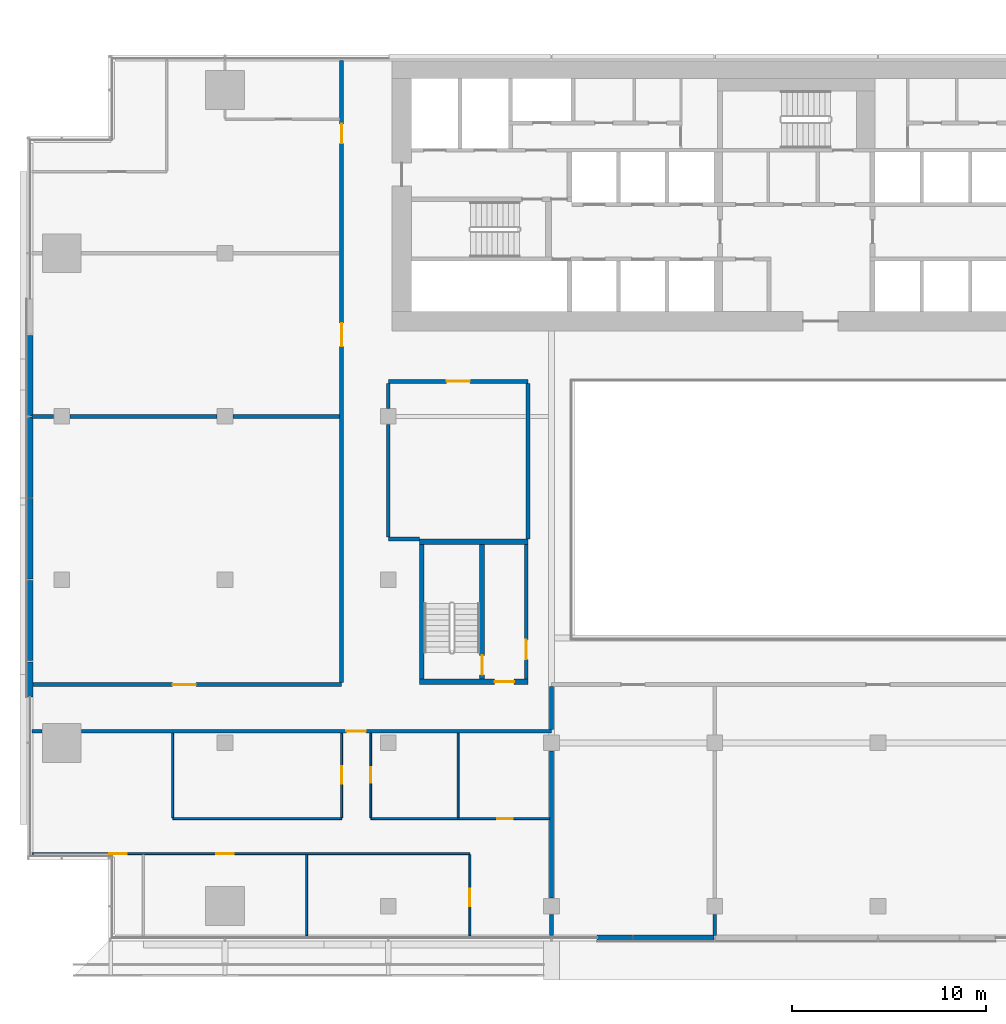
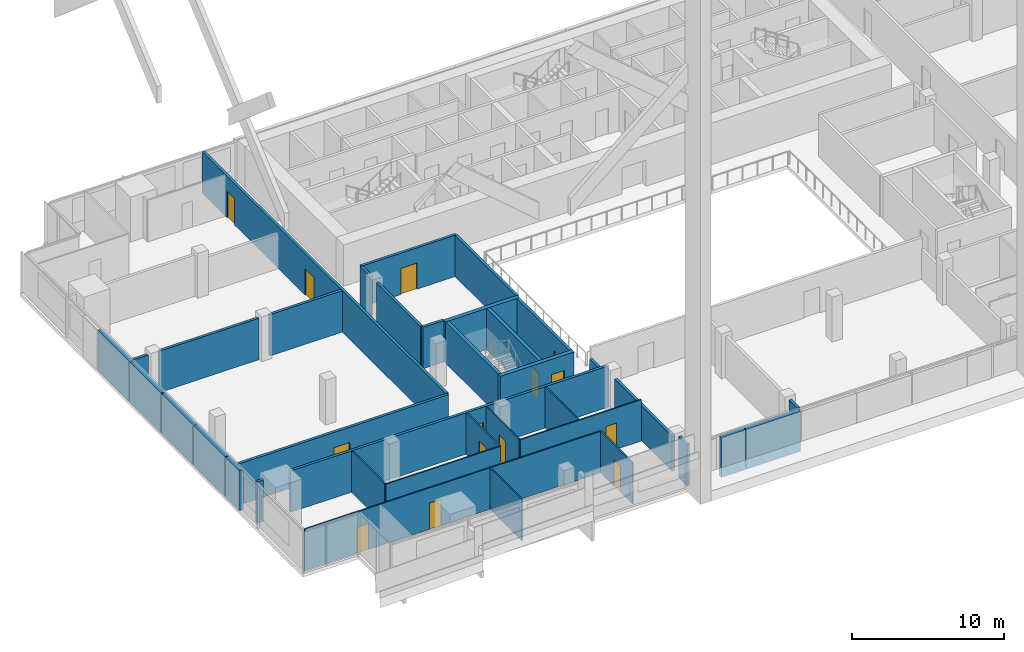
# One storey, part 19 of 30: 37 walls, 14 doors, 14 openings.
"""IFC4 building model written with IfcOpenShell, lengths in metres."""

from ifc_helpers import new_model, si_unit, direction, frame, frame_2d, origin, place, context, subcontext, project, spatial, rectangle, extrude, material, layer, layer_set, type_object, element, fill, save


model = new_model("IFC4")

# Units and contexts
model_context = context("Model", 3, precision=1e-05, world=origin(), true_north=direction((0.0, 1.0)))
body_context = subcontext(model_context, "Body", "Model", "MODEL_VIEW")
ifc_project = project(units=[si_unit("LENGTHUNIT", "METRE"), si_unit("AREAUNIT", "SQUARE_METRE"), si_unit("VOLUMEUNIT", "CUBIC_METRE"), si_unit("PLANEANGLEUNIT", "RADIAN"), si_unit("MASSUNIT", "GRAM", prefix="KILO")], contexts=[model_context])

# Site, building, storey
site_placement = place(None, origin())
site = spatial("IfcSite", under=ifc_project, at=site_placement, CompositionType="ELEMENT")
building_placement = place(site_placement, origin())
building = spatial("IfcBuilding", under=site, at=building_placement, Name="Saffron Gate Tower", CompositionType="ELEMENT")
storey_placement = place(building_placement, frame((0.0, 0.0, 95.25)))
storey = spatial("IfcBuildingStorey", under=building, at=storey_placement, Name="L21", CompositionType="ELEMENT", Elevation=95.25)

# Wall, opening, door
ifc_material_1 = material(Name="Gypsum board partition on steel studs", Category="steel")
ifc_layer_1 = layer(ifc_material_1, 0.199951171875)
ifc_layer_set_1 = layer_set([ifc_layer_1], Name="CW10 Core partition 200")
wall_type_1 = type_object("IfcWallType", Name="CW10 Core partition 200", PredefinedType="PARTITIONING", material=ifc_layer_set_1)
wall_1_placement = place(storey_placement, frame((73.699951171875, 43.5, 0.0), z_axis=(0.0, 0.0, 1.0), x_axis=(0.0, 1.0, 0.0)))
wall_1 = element("IfcWall", 1, at=wall_1_placement, inside=storey, type_object=wall_type_1, Name="Wall CW10-L21-D-4", PredefinedType="PARTITIONING", context=body_context, shape_type="SweptSolid", body=[
    extrude(rectangle(XDim=6.89990234375, YDim=0.199951171875, at=frame_2d((3.449951171875, 0.0))), origin(), (0.0, 0.0, 1.0), 3.320068359375),
])
opening_1_placement = place(wall_1_placement, frame((1.0, 0.0, 0.0)))
opening_1 = element("IfcOpeningElement", 2, at=opening_1_placement, cuts=wall_1, Name="Opening CR-19", PredefinedType="OPENING", context=body_context, shape_type="SweptSolid", body=[
    extrude(rectangle(XDim=1.0, YDim=2.10009765625, at=frame_2d((0.5, 1.050048828125))), frame((0.0, 0.10986328125, 0.0), z_axis=(0.0, -1.0, 0.0), x_axis=(1.0, 0.0, 0.0)), (0.0, 0.0, 1.0), 0.219970703125),
])
ifc_material_2 = material(Name="Steel fire door set", Category="steel")
door_type_1 = type_object("IfcDoorType", Name="CD4 Lobby door 1000x2100 EI 120", OperationType="NOTDEFINED", PredefinedType="DOOR", material=ifc_material_2)
door_1_placement = place(opening_1_placement, origin())
door_1 = element("IfcDoor", 3, at=door_1_placement, inside=storey, type_object=door_type_1, Name="DOOR CR-19", OperationType="SINGLE_SWING_RIGHT", OverallHeight=2.10009765625, OverallWidth=1.0, PredefinedType="DOOR", context=body_context, shape_type="SweptSolid", body=[
    extrude(rectangle(XDim=1.0, YDim=2.10009765625, at=frame_2d((0.5, 1.050048828125))), frame((0.0, 0.02490234375, 0.0), z_axis=(0.0, -1.0, 0.0), x_axis=(1.0, 0.0, 0.0)), (0.0, 0.0, 1.0), 0.050048828125),
])
fill(opening_1, door_1)

# Wall
ifc_material_3 = material(Name="Concrete C70", Category="concrete")
ifc_layer_2 = layer(ifc_material_3, 0.25)
ifc_layer_set_2 = layer_set([ifc_layer_2], Name="CW2 RC core wall 250 C70")
wall_type_2 = type_object("IfcWallType", Name="CW2 RC core wall 250 C70", PredefinedType="SOLIDWALL", material=ifc_layer_set_2)
wall_2_placement = place(storey_placement, frame((68.324951171875, 43.5, 0.0), z_axis=(0.0, 0.0, 1.0), x_axis=(0.0, 1.0, 0.0)))
element("IfcWall", 4, at=wall_2_placement, inside=storey, type_object=wall_type_2, Name="Wall CW2-L21-D-2", PredefinedType="SOLIDWALL", context=body_context, shape_type="SweptSolid", body=[
    extrude(rectangle(XDim=6.89990234375, YDim=0.25, at=frame_2d((3.449951171875, 0.0))), origin(), (0.0, 0.0, 1.0), 3.320068359375),
])

# Wall, opening, door
wall_3_placement = place(storey_placement, frame((71.425048828125, 43.5, 0.0), z_axis=(0.0, 0.0, 1.0), x_axis=(0.0, 1.0, 0.0)))
wall_3 = element("IfcWall", 5, at=wall_3_placement, inside=storey, type_object=wall_type_2, Name="Wall CW2-L21-D-3", PredefinedType="SOLIDWALL", context=body_context, shape_type="SweptSolid", body=[
    extrude(rectangle(XDim=6.89990234375, YDim=0.25, at=frame_2d((3.449951171875, 0.0))), origin(), (0.0, 0.0, 1.0), 3.320068359375),
])
opening_2_placement = place(wall_3_placement, frame((0.199951171875, 0.0, 0.0)))
opening_2 = element("IfcOpeningElement", 6, at=opening_2_placement, cuts=wall_3, Name="Opening CR-20", PredefinedType="OPENING", context=body_context, shape_type="SweptSolid", body=[
    extrude(rectangle(XDim=1.0, YDim=2.10009765625, at=frame_2d((0.5, 1.050048828125))), frame((0.0, 0.135009765625, 0.0), z_axis=(0.0, -1.0, 0.0), x_axis=(1.0, 0.0, 0.0)), (0.0, 0.0, 1.0), 0.27001953125),
])
door_type_2 = type_object("IfcDoorType", Name="CD5 Stair door 1000x2100 EI 120", OperationType="NOTDEFINED", PredefinedType="DOOR", material=ifc_material_2)
door_2_placement = place(opening_2_placement, origin())
door_2 = element("IfcDoor", 7, at=door_2_placement, inside=storey, type_object=door_type_2, Name="DOOR CR-20", OperationType="SINGLE_SWING_LEFT", OverallHeight=2.10009765625, OverallWidth=1.0, PredefinedType="DOOR", context=body_context, shape_type="SweptSolid", body=[
    extrude(rectangle(XDim=1.0, YDim=2.10009765625, at=frame_2d((0.5, 1.050048828125))), frame((0.0, 0.02490234375, 0.0), z_axis=(0.0, -1.0, 0.0), x_axis=(1.0, 0.0, 0.0)), (0.0, 0.0, 1.0), 0.050048828125),
])
fill(opening_2, door_2)

ifc_layer_3 = layer(ifc_material_3, 0.300048828125)
ifc_layer_set_3 = layer_set([ifc_layer_3], Name="CW5 RC core wall 300 C70")
wall_type_3 = type_object("IfcWallType", Name="CW5 RC core wall 300 C70", PredefinedType="SOLIDWALL", material=ifc_layer_set_3)
wall_4_placement = place(storey_placement, frame((68.199951171875, 43.35009765625, 0.0), z_axis=(0.0, 0.0, 1.0), x_axis=(1.0, 0.0, 0.0)))
wall_4 = element("IfcWall", 8, at=wall_4_placement, inside=storey, type_object=wall_type_3, Name="Wall CW5-L21-D-1", PredefinedType="SOLIDWALL", context=body_context, shape_type="SweptSolid", body=[
    extrude(rectangle(XDim=5.60009765625, YDim=0.300048828125, at=frame_2d((2.800048828125, 0.0))), origin(), (0.0, 0.0, 1.0), 3.320068359375),
])
opening_3_placement = place(wall_4_placement, frame((3.875, 0.0, 0.0)))
opening_3 = element("IfcOpeningElement", 9, at=opening_3_placement, cuts=wall_4, Name="Opening CR-18", PredefinedType="OPENING", context=body_context, shape_type="SweptSolid", body=[
    extrude(rectangle(XDim=1.0, YDim=2.10009765625, at=frame_2d((0.5, 1.050048828125))), frame((0.0, 0.16015625, 0.0), z_axis=(0.0, -1.0, 0.0), x_axis=(1.0, 0.0, 0.0)), (0.0, 0.0, 1.0), 0.320068359375),
])
door_3_placement = place(opening_3_placement, origin())
door_3 = element("IfcDoor", 10, at=door_3_placement, inside=storey, type_object=door_type_1, Name="DOOR CR-18", OperationType="SINGLE_SWING_RIGHT", OverallHeight=2.10009765625, OverallWidth=1.0, PredefinedType="DOOR", context=body_context, shape_type="SweptSolid", body=[
    extrude(rectangle(XDim=1.0, YDim=2.10009765625, at=frame_2d((0.5, 1.050048828125))), frame((0.0, 0.02490234375, 0.0), z_axis=(0.0, -1.0, 0.0), x_axis=(1.0, 0.0, 0.0)), (0.0, 0.0, 1.0), 0.050048828125),
])
fill(opening_3, door_3)

# Wall
wall_5_placement = place(storey_placement, frame((68.199951171875, 50.550048828125, 0.0), z_axis=(0.0, 0.0, 1.0), x_axis=(1.0, 0.0, 0.0)))
element("IfcWall", 11, at=wall_5_placement, inside=storey, type_object=wall_type_3, Name="Wall CW5-L21-D-5", PredefinedType="SOLIDWALL", context=body_context, shape_type="SweptSolid", body=[
    extrude(rectangle(XDim=5.60009765625, YDim=0.300048828125, at=frame_2d((2.800048828125, 0.0))), origin(), (0.0, 0.0, 1.0), 3.320068359375),
])

# Wall, openings, doors
ifc_material_4 = material(Name="Plasterboard on steel studs", Category="steel")
ifc_layer_4 = layer(ifc_material_4, 0.10009765625)
ifc_layer_set_4 = layer_set([ifc_layer_4], Name="PW1 Partition 100")
wall_type_4 = type_object("IfcWallType", Name="PW1 Partition 100", PredefinedType="PARTITIONING", material=ifc_layer_set_4)
wall_6_placement = place(storey_placement, frame((70.800048828125, 34.5, 0.0), z_axis=(0.0, 0.0, 1.0), x_axis=(-1.0, 0.0, 0.0)))
wall_6 = element("IfcWall", 12, at=wall_6_placement, inside=storey, type_object=wall_type_4, Name="Partition B1-1", PredefinedType="PARTITIONING", context=body_context, shape_type="SweptSolid", body=[
    extrude(rectangle(XDim=22.52001953125, YDim=0.10009765625, at=frame_2d((11.260009765625, 0.0))), origin(), (0.0, 0.0, 1.0), 3.320068359375),
])
opening_4_placement = place(wall_6_placement, frame((12.14990234375, 0.0, 0.0)))
opening_4 = element("IfcOpeningElement", 13, at=opening_4_placement, cuts=wall_6, Name="Opening B1-6", PredefinedType="OPENING", context=body_context, shape_type="SweptSolid", body=[
    extrude(rectangle(XDim=0.89990234375, YDim=2.10009765625, at=frame_2d((0.449951171875, 1.050048828125))), frame((0.0, 0.06005859375, 0.0), z_axis=(0.0, -1.0, 0.0), x_axis=(1.0, 0.0, 0.0)), (0.0, 0.0, 1.0), 0.1201171875),
])
opening_5_placement = place(wall_6_placement, frame((17.65380859375, 0.0, 0.0)))
opening_5 = element("IfcOpeningElement", 14, at=opening_5_placement, cuts=wall_6, Name="Opening B1-5", PredefinedType="OPENING", context=body_context, shape_type="SweptSolid", body=[
    extrude(rectangle(XDim=0.89990234375, YDim=2.10009765625, at=frame_2d((0.449951171875, 1.050048828125))), frame((0.0, 0.06005859375, 0.0), z_axis=(0.0, -1.0, 0.0), x_axis=(1.0, 0.0, 0.0)), (0.0, 0.0, 1.0), 0.1201171875),
])
ifc_material_5 = material(Name="Timber door set", Category="wood")
door_type_3 = type_object("IfcDoorType", Name="RD1 Room door 900x2100", OperationType="NOTDEFINED", PredefinedType="DOOR", material=ifc_material_5)
door_4_placement = place(opening_4_placement, origin())
door_4 = element("IfcDoor", 15, at=door_4_placement, inside=storey, type_object=door_type_3, Name="Door B1-6", OperationType="SINGLE_SWING_RIGHT", OverallHeight=2.10009765625, OverallWidth=0.89990234375, PredefinedType="DOOR", context=body_context, shape_type="SweptSolid", body=[
    extrude(rectangle(XDim=0.89990234375, YDim=2.10009765625, at=frame_2d((0.449951171875, 1.050048828125))), frame((0.0, 0.02490234375, 0.0), z_axis=(0.0, -1.0, 0.0), x_axis=(1.0, 0.0, 0.0)), (0.0, 0.0, 1.0), 0.050048828125),
])
fill(opening_4, door_4)
door_5_placement = place(opening_5_placement, origin())
door_5 = element("IfcDoor", 16, at=door_5_placement, inside=storey, type_object=door_type_3, Name="Door B1-5", OperationType="SINGLE_SWING_LEFT", OverallHeight=2.10009765625, OverallWidth=0.89990234375, PredefinedType="DOOR", context=body_context, shape_type="SweptSolid", body=[
    extrude(rectangle(XDim=0.89990234375, YDim=2.10009765625, at=frame_2d((0.449951171875, 1.050048828125))), frame((0.0, 0.02490234375, 0.0), z_axis=(0.0, -1.0, 0.0), x_axis=(1.0, 0.0, 0.0)), (0.0, 0.0, 1.0), 0.050048828125),
])
fill(opening_5, door_5)

# Wall
wall_7_placement = place(storey_placement, frame((55.5, 36.300048828125, 0.0), z_axis=(0.0, 0.0, 1.0), x_axis=(1.0, 0.0, 0.0)))
element("IfcWall", 17, at=wall_7_placement, inside=storey, type_object=wall_type_4, Name="Partition B1-4", PredefinedType="PARTITIONING", context=body_context, shape_type="SweptSolid", body=[
    extrude(rectangle(XDim=8.699951171875, YDim=0.10009765625, at=frame_2d((4.35009765625, 0.0))), origin(), (0.0, 0.0, 1.0), 3.320068359375),
])

# Wall, opening, door
wall_8_placement = place(storey_placement, frame((65.699951171875, 36.300048828125, 0.0), z_axis=(0.0, 0.0, 1.0), x_axis=(1.0, 0.0, 0.0)))
wall_8 = element("IfcWall", 18, at=wall_8_placement, inside=storey, type_object=wall_type_4, Name="Partition B1-5", PredefinedType="PARTITIONING", context=body_context, shape_type="SweptSolid", body=[
    extrude(rectangle(XDim=9.199951171875, YDim=0.10009765625, at=frame_2d((4.60009765625, 0.0))), origin(), (0.0, 0.0, 1.0), 3.320068359375),
])
opening_6_placement = place(wall_8_placement, frame((6.5, 0.0, 0.0)))
opening_6 = element("IfcOpeningElement", 19, at=opening_6_placement, cuts=wall_8, Name="Opening B1-17", PredefinedType="OPENING", context=body_context, shape_type="SweptSolid", body=[
    extrude(rectangle(XDim=0.800048828125, YDim=2.10009765625, at=frame_2d((0.39990234375, 1.050048828125))), frame((0.0, 0.06005859375, 0.0), z_axis=(0.0, -1.0, 0.0), x_axis=(1.0, 0.0, 0.0)), (0.0, 0.0, 1.0), 0.1201171875),
])
door_type_4 = type_object("IfcDoorType", Name="RD2 Bathroom door 800x2100", OperationType="NOTDEFINED", PredefinedType="DOOR", material=ifc_material_5)
door_6_placement = place(opening_6_placement, origin())
door_6 = element("IfcDoor", 20, at=door_6_placement, inside=storey, type_object=door_type_4, Name="Door B1-17", OperationType="SINGLE_SWING_RIGHT", OverallHeight=2.10009765625, OverallWidth=0.800048828125, PredefinedType="DOOR", context=body_context, shape_type="SweptSolid", body=[
    extrude(rectangle(XDim=0.800048828125, YDim=2.10009765625, at=frame_2d((0.39990234375, 1.050048828125))), frame((0.0, 0.02490234375, 0.0), z_axis=(0.0, -1.0, 0.0), x_axis=(1.0, 0.0, 0.0)), (0.0, 0.0, 1.0), 0.050048828125),
])
fill(opening_6, door_6)

# Walls
wall_9_placement = place(storey_placement, frame((55.5, 40.699951171875, 0.0), z_axis=(0.0, 0.0, 1.0), x_axis=(0.0, -1.0, 0.0)))
element("IfcWall", 21, at=wall_9_placement, inside=storey, type_object=wall_type_4, Name="Partition B1-38", PredefinedType="PARTITIONING", context=body_context, shape_type="SweptSolid", body=[
    extrude(rectangle(XDim=4.349853515625, YDim=0.10009765625, at=frame_2d((2.1748046875, 0.0))), origin(), (0.0, 0.0, 1.0), 3.320068359375),
])
wall_10_placement = place(storey_placement, frame((62.39990234375, 34.449951171875, 0.0), z_axis=(0.0, 0.0, 1.0), x_axis=(0.0, -1.0, 0.0)))
element("IfcWall", 22, at=wall_10_placement, inside=storey, type_object=wall_type_4, Name="Partition B1-41", PredefinedType="PARTITIONING", context=body_context, shape_type="SweptSolid", body=[
    extrude(rectangle(XDim=4.169921875, YDim=0.10009765625, at=frame_2d((2.0849609375, 0.0))), origin(), (0.0, 0.0, 1.0), 3.320068359375),
])

# Wall, opening, door
wall_11_placement = place(storey_placement, frame((64.199951171875, 36.35009765625, 0.0), z_axis=(0.0, 0.0, 1.0), x_axis=(0.0, 1.0, 0.0)))
wall_11 = element("IfcWall", 23, at=wall_11_placement, inside=storey, type_object=wall_type_4, Name="Partition B1-43", PredefinedType="PARTITIONING", context=body_context, shape_type="SweptSolid", body=[
    extrude(rectangle(XDim=4.349853515625, YDim=0.10009765625, at=frame_2d((2.1748046875, 0.0))), origin(), (0.0, 0.0, 1.0), 3.320068359375),
])
opening_7_placement = place(wall_11_placement, frame((1.75, 0.0, 0.0)))
opening_7 = element("IfcOpeningElement", 24, at=opening_7_placement, cuts=wall_11, Name="Opening B1-8", PredefinedType="OPENING", context=body_context, shape_type="SweptSolid", body=[
    extrude(rectangle(XDim=0.89990234375, YDim=2.10009765625, at=frame_2d((0.449951171875, 1.050048828125))), frame((0.0, 0.06005859375, 0.0), z_axis=(0.0, -1.0, 0.0), x_axis=(1.0, 0.0, 0.0)), (0.0, 0.0, 1.0), 0.1201171875),
])
door_7_placement = place(opening_7_placement, origin())
door_7 = element("IfcDoor", 25, at=door_7_placement, inside=storey, type_object=door_type_3, Name="Door B1-8", OperationType="SINGLE_SWING_RIGHT", OverallHeight=2.10009765625, OverallWidth=0.89990234375, PredefinedType="DOOR", context=body_context, shape_type="SweptSolid", body=[
    extrude(rectangle(XDim=0.89990234375, YDim=2.10009765625, at=frame_2d((0.449951171875, 1.050048828125))), frame((0.0, 0.02490234375, 0.0), z_axis=(0.0, -1.0, 0.0), x_axis=(1.0, 0.0, 0.0)), (0.0, 0.0, 1.0), 0.050048828125),
])
fill(opening_7, door_7)

wall_12_placement = place(storey_placement, frame((65.699951171875, 40.699951171875, 0.0), z_axis=(0.0, 0.0, 1.0), x_axis=(0.0, -1.0, 0.0)))
wall_12 = element("IfcWall", 26, at=wall_12_placement, inside=storey, type_object=wall_type_4, Name="Partition B1-44", PredefinedType="PARTITIONING", context=body_context, shape_type="SweptSolid", body=[
    extrude(rectangle(XDim=4.349853515625, YDim=0.10009765625, at=frame_2d((2.1748046875, 0.0))), origin(), (0.0, 0.0, 1.0), 3.320068359375),
])
opening_8_placement = place(wall_12_placement, frame((1.75, 0.0, 0.0)))
opening_8 = element("IfcOpeningElement", 27, at=opening_8_placement, cuts=wall_12, Name="Opening B1-16", PredefinedType="OPENING", context=body_context, shape_type="SweptSolid", body=[
    extrude(rectangle(XDim=0.800048828125, YDim=2.10009765625, at=frame_2d((0.39990234375, 1.050048828125))), frame((0.0, 0.06005859375, 0.0), z_axis=(0.0, -1.0, 0.0), x_axis=(1.0, 0.0, 0.0)), (0.0, 0.0, 1.0), 0.1201171875),
])
door_8_placement = place(opening_8_placement, origin())
door_8 = element("IfcDoor", 28, at=door_8_placement, inside=storey, type_object=door_type_4, Name="Door B1-16", OperationType="SINGLE_SWING_LEFT", OverallHeight=2.10009765625, OverallWidth=0.800048828125, PredefinedType="DOOR", context=body_context, shape_type="SweptSolid", body=[
    extrude(rectangle(XDim=0.800048828125, YDim=2.10009765625, at=frame_2d((0.39990234375, 1.050048828125))), frame((0.0, 0.02490234375, 0.0), z_axis=(0.0, -1.0, 0.0), x_axis=(1.0, 0.0, 0.0)), (0.0, 0.0, 1.0), 0.050048828125),
])
fill(opening_8, door_8)

# Wall
wall_13_placement = place(storey_placement, frame((70.199951171875, 40.699951171875, 0.0), z_axis=(0.0, 0.0, 1.0), x_axis=(0.0, -1.0, 0.0)))
element("IfcWall", 29, at=wall_13_placement, inside=storey, type_object=wall_type_4, Name="Partition B1-47", PredefinedType="PARTITIONING", context=body_context, shape_type="SweptSolid", body=[
    extrude(rectangle(XDim=4.349853515625, YDim=0.10009765625, at=frame_2d((2.1748046875, 0.0))), origin(), (0.0, 0.0, 1.0), 3.320068359375),
])

# Wall, opening, door
wall_14_placement = place(storey_placement, frame((70.800048828125, 30.280029296875, 0.0), z_axis=(0.0, 0.0, 1.0), x_axis=(0.0, 1.0, 0.0)))
wall_14 = element("IfcWall", 30, at=wall_14_placement, inside=storey, type_object=wall_type_4, Name="Partition B1-48", PredefinedType="PARTITIONING", context=body_context, shape_type="SweptSolid", body=[
    extrude(rectangle(XDim=4.169921875, YDim=0.10009765625, at=frame_2d((2.0849609375, 0.0))), origin(), (0.0, 0.0, 1.0), 3.320068359375),
])
opening_9_placement = place(wall_14_placement, frame((1.52001953125, 0.0, 0.0)))
opening_9 = element("IfcOpeningElement", 31, at=opening_9_placement, cuts=wall_14, Name="Opening B1-7", PredefinedType="OPENING", context=body_context, shape_type="SweptSolid", body=[
    extrude(rectangle(XDim=0.89990234375, YDim=2.10009765625, at=frame_2d((0.449951171875, 1.050048828125))), frame((0.0, 0.06005859375, 0.0), z_axis=(0.0, -1.0, 0.0), x_axis=(1.0, 0.0, 0.0)), (0.0, 0.0, 1.0), 0.1201171875),
])
door_9_placement = place(opening_9_placement, origin())
door_9 = element("IfcDoor", 32, at=door_9_placement, inside=storey, type_object=door_type_3, Name="Door B1-7", OperationType="SINGLE_SWING_LEFT", OverallHeight=2.10009765625, OverallWidth=0.89990234375, PredefinedType="DOOR", context=body_context, shape_type="SweptSolid", body=[
    extrude(rectangle(XDim=0.89990234375, YDim=2.10009765625, at=frame_2d((0.449951171875, 1.050048828125))), frame((0.0, 0.02490234375, 0.0), z_axis=(0.0, -1.0, 0.0), x_axis=(1.0, 0.0, 0.0)), (0.0, 0.0, 1.0), 0.050048828125),
])
fill(opening_9, door_9)

# Wall
ifc_material_6 = material(Name="Clay brick masonry, rendered", Category="masonry")
ifc_layer_5 = layer(ifc_material_6, 0.199951171875)
ifc_layer_set_5 = layer_set([ifc_layer_5], Name="PW3 Corridor wall 200")
wall_type_5 = type_object("IfcWallType", Name="PW3 Corridor wall 200", PredefinedType="PARTITIONING", material=ifc_layer_set_5)
wall_15_placement = place(storey_placement, frame((48.280029296875, 40.800048828125, 0.0), z_axis=(0.0, 0.0, 1.0), x_axis=(1.0, 0.0, 0.0)))
element("IfcWall", 33, at=wall_15_placement, inside=storey, type_object=wall_type_5, Name="Wall B1-8", PredefinedType="PARTITIONING", context=body_context, shape_type="SweptSolid", body=[
    extrude(rectangle(XDim=0.5, YDim=0.199951171875, at=frame_2d((0.25, 0.0))), origin(), (0.0, 0.0, 1.0), 3.320068359375),
])

# Wall, opening, door
wall_16_placement = place(storey_placement, frame((75.0, 40.800048828125, 0.0), z_axis=(0.0, 0.0, 1.0), x_axis=(-1.0, 0.0, 0.0)))
wall_16 = element("IfcWall", 34, at=wall_16_placement, inside=storey, type_object=wall_type_5, Name="Wall B1-9", PredefinedType="PARTITIONING", context=body_context, shape_type="SweptSolid", body=[
    extrude(rectangle(XDim=24.179931640625, YDim=0.199951171875, at=frame_2d((12.08984375, 0.0))), origin(), (0.0, 0.0, 1.0), 3.320068359375),
])
opening_10_placement = place(wall_16_placement, frame((9.550048828125, 0.0, 0.0)))
opening_10 = element("IfcOpeningElement", 35, at=opening_10_placement, cuts=wall_16, Name="Opening B1-1", PredefinedType="OPENING", context=body_context, shape_type="SweptSolid", body=[
    extrude(rectangle(XDim=1.0, YDim=2.10009765625, at=frame_2d((0.5, 1.050048828125))), frame((0.0, 0.10986328125, 0.0), z_axis=(0.0, -1.0, 0.0), x_axis=(1.0, 0.0, 0.0)), (0.0, 0.0, 1.0), 0.219970703125),
])
ifc_material_7 = material(Name="Timber fire door set", Category="wood")
door_type_5 = type_object("IfcDoorType", Name="FD1 Flat entry door 1000x2100", OperationType="NOTDEFINED", PredefinedType="DOOR", material=ifc_material_7)
door_10_placement = place(opening_10_placement, origin())
door_10 = element("IfcDoor", 36, at=door_10_placement, inside=storey, type_object=door_type_5, Name="Door B1-1", OperationType="SINGLE_SWING_LEFT", OverallHeight=2.10009765625, OverallWidth=1.0, PredefinedType="DOOR", context=body_context, shape_type="SweptSolid", body=[
    extrude(rectangle(XDim=1.0, YDim=2.10009765625, at=frame_2d((0.5, 1.050048828125))), frame((0.0, 0.02490234375, 0.0), z_axis=(0.0, -1.0, 0.0), x_axis=(1.0, 0.0, 0.0)), (0.0, 0.0, 1.0), 0.050048828125),
])
fill(opening_10, door_10)

wall_17_placement = place(storey_placement, frame((48.280029296875, 43.199951171875, 0.0), z_axis=(0.0, 0.0, 1.0), x_axis=(1.0, 0.0, 0.0)))
wall_17 = element("IfcWall", 37, at=wall_17_placement, inside=storey, type_object=wall_type_5, Name="Wall B1-12", PredefinedType="PARTITIONING", context=body_context, shape_type="SweptSolid", body=[
    extrude(rectangle(XDim=15.919921875, YDim=0.199951171875, at=frame_2d((7.9599609375, 0.0))), origin(), (0.0, 0.0, 1.0), 3.320068359375),
])
opening_11_placement = place(wall_17_placement, frame((7.219970703125, 0.0, 0.0)))
opening_11 = element("IfcOpeningElement", 38, at=opening_11_placement, cuts=wall_17, Name="Opening B1-27", PredefinedType="OPENING", context=body_context, shape_type="SweptSolid", body=[
    extrude(rectangle(XDim=1.199951171875, YDim=2.10009765625, at=frame_2d((0.60009765625, 1.050048828125))), frame((0.0, 0.10986328125, 0.0), z_axis=(0.0, -1.0, 0.0), x_axis=(1.0, 0.0, 0.0)), (0.0, 0.0, 1.0), 0.219970703125),
])
door_type_6 = type_object("IfcDoorType", Name="HD1 Hall door 1200x2100", OperationType="NOTDEFINED", PredefinedType="DOOR", material=ifc_material_5)
door_11_placement = place(opening_11_placement, origin())
door_11 = element("IfcDoor", 39, at=door_11_placement, inside=storey, type_object=door_type_6, Name="Door B1-27", OperationType="SINGLE_SWING_LEFT", OverallHeight=2.10009765625, OverallWidth=1.199951171875, PredefinedType="DOOR", context=body_context, shape_type="SweptSolid", body=[
    extrude(rectangle(XDim=1.199951171875, YDim=2.10009765625, at=frame_2d((0.60009765625, 1.050048828125))), frame((0.0, 0.02490234375, 0.0), z_axis=(0.0, -1.0, 0.0), x_axis=(1.0, 0.0, 0.0)), (0.0, 0.0, 1.0), 0.050048828125),
])
fill(opening_11, door_11)

# Wall
wall_18_placement = place(storey_placement, frame((66.60009765625, 50.699951171875, 0.0), z_axis=(0.0, 0.0, 1.0), x_axis=(1.0, 0.0, 0.0)))
element("IfcWall", 40, at=wall_18_placement, inside=storey, type_object=wall_type_5, Name="Wall B1-15", PredefinedType="PARTITIONING", context=body_context, shape_type="SweptSolid", body=[
    extrude(rectangle(XDim=1.599853515625, YDim=0.199951171875, at=frame_2d((0.7998046875, 0.0))), origin(), (0.0, 0.0, 1.0), 3.320068359375),
])

# Wall, opening, door
wall_19_placement = place(storey_placement, frame((73.800048828125, 58.800048828125, 0.0), z_axis=(0.0, 0.0, 1.0), x_axis=(-1.0, 0.0, 0.0)))
wall_19 = element("IfcWall", 41, at=wall_19_placement, inside=storey, type_object=wall_type_5, Name="Wall B1-24", PredefinedType="PARTITIONING", context=body_context, shape_type="SweptSolid", body=[
    extrude(rectangle(XDim=7.199951171875, YDim=0.199951171875, at=frame_2d((3.60009765625, 0.0))), origin(), (0.0, 0.0, 1.0), 3.320068359375),
])
opening_12_placement = place(wall_19_placement, frame((3.0, 0.0, 0.0)))
opening_12 = element("IfcOpeningElement", 42, at=opening_12_placement, cuts=wall_19, Name="Opening B1-29", PredefinedType="OPENING", context=body_context, shape_type="SweptSolid", body=[
    extrude(rectangle(XDim=1.199951171875, YDim=2.10009765625, at=frame_2d((0.60009765625, 1.050048828125))), frame((0.0, 0.10986328125, 0.0), z_axis=(0.0, -1.0, 0.0), x_axis=(1.0, 0.0, 0.0)), (0.0, 0.0, 1.0), 0.219970703125),
])
door_12_placement = place(opening_12_placement, origin())
door_12 = element("IfcDoor", 43, at=door_12_placement, inside=storey, type_object=door_type_6, Name="Door B1-29", OperationType="SINGLE_SWING_LEFT", OverallHeight=2.10009765625, OverallWidth=1.199951171875, PredefinedType="DOOR", context=body_context, shape_type="SweptSolid", body=[
    extrude(rectangle(XDim=1.199951171875, YDim=2.10009765625, at=frame_2d((0.60009765625, 1.050048828125))), frame((0.0, 0.02490234375, 0.0), z_axis=(0.0, -1.0, 0.0), x_axis=(1.0, 0.0, 0.0)), (0.0, 0.0, 1.0), 0.050048828125),
])
fill(opening_12, door_12)

# Wall, openings, doors
wall_20_placement = place(storey_placement, frame((64.199951171875, 43.300048828125, 0.0), z_axis=(0.0, 0.0, 1.0), x_axis=(0.0, 1.0, 0.0)))
wall_20 = element("IfcWall", 44, at=wall_20_placement, inside=storey, type_object=wall_type_5, Name="Wall B1-42", PredefinedType="PARTITIONING", context=body_context, shape_type="SweptSolid", body=[
    extrude(rectangle(XDim=32.02001953125, YDim=0.199951171875, at=frame_2d((16.010009765625, 0.0))), origin(), (0.0, 0.0, 1.0), 3.320068359375),
])
opening_13_placement = place(wall_20_placement, frame((17.300048828125, 0.0, 0.0)))
opening_13 = element("IfcOpeningElement", 45, at=opening_13_placement, cuts=wall_20, Name="Opening B1-28", PredefinedType="OPENING", context=body_context, shape_type="SweptSolid", body=[
    extrude(rectangle(XDim=1.199951171875, YDim=2.10009765625, at=frame_2d((0.60009765625, 1.050048828125))), frame((0.0, 0.10986328125, 0.0), z_axis=(0.0, -1.0, 0.0), x_axis=(1.0, 0.0, 0.0)), (0.0, 0.0, 1.0), 0.219970703125),
])
opening_14_placement = place(wall_20_placement, frame((27.75, 0.0, 0.0)))
opening_14 = element("IfcOpeningElement", 46, at=opening_14_placement, cuts=wall_20, Name="Opening B1-3", PredefinedType="OPENING", context=body_context, shape_type="SweptSolid", body=[
    extrude(rectangle(XDim=1.0, YDim=2.10009765625, at=frame_2d((0.5, 1.050048828125))), frame((0.0, 0.10986328125, 0.0), z_axis=(0.0, -1.0, 0.0), x_axis=(1.0, 0.0, 0.0)), (0.0, 0.0, 1.0), 0.219970703125),
])
door_13_placement = place(opening_14_placement, origin())
door_13 = element("IfcDoor", 47, at=door_13_placement, inside=storey, type_object=door_type_5, Name="Door B1-3", OperationType="SINGLE_SWING_LEFT", OverallHeight=2.10009765625, OverallWidth=1.0, PredefinedType="DOOR", context=body_context, shape_type="SweptSolid", body=[
    extrude(rectangle(XDim=1.0, YDim=2.10009765625, at=frame_2d((0.5, 1.050048828125))), frame((0.0, 0.02490234375, 0.0), z_axis=(0.0, -1.0, 0.0), x_axis=(1.0, 0.0, 0.0)), (0.0, 0.0, 1.0), 0.050048828125),
])
fill(opening_14, door_13)
door_14_placement = place(opening_13_placement, origin())
door_14 = element("IfcDoor", 48, at=door_14_placement, inside=storey, type_object=door_type_6, Name="Door B1-28", OperationType="SINGLE_SWING_RIGHT", OverallHeight=2.10009765625, OverallWidth=1.199951171875, PredefinedType="DOOR", context=body_context, shape_type="SweptSolid", body=[
    extrude(rectangle(XDim=1.199951171875, YDim=2.10009765625, at=frame_2d((0.60009765625, 1.050048828125))), frame((0.0, 0.02490234375, 0.0), z_axis=(0.0, -1.0, 0.0), x_axis=(1.0, 0.0, 0.0)), (0.0, 0.0, 1.0), 0.050048828125),
])
fill(opening_13, door_14)

# Walls
wall_21_placement = place(storey_placement, frame((66.60009765625, 56.580078125, 0.0), z_axis=(0.0, 0.0, 1.0), x_axis=(0.0, -1.0, 0.0)))
element("IfcWall", 49, at=wall_21_placement, inside=storey, type_object=wall_type_5, Name="Wall B1-45", PredefinedType="PARTITIONING", context=body_context, shape_type="SweptSolid", body=[
    extrude(rectangle(XDim=5.780029296875, YDim=0.199951171875, at=frame_2d((2.89013671875, 0.0))), origin(), (0.0, 0.0, 1.0), 3.320068359375),
])
wall_22_placement = place(storey_placement, frame((66.60009765625, 58.699951171875, 0.0), z_axis=(0.0, 0.0, 1.0), x_axis=(0.0, -1.0, 0.0)))
element("IfcWall", 50, at=wall_22_placement, inside=storey, type_object=wall_type_5, Name="Wall B1-46", PredefinedType="PARTITIONING", context=body_context, shape_type="SweptSolid", body=[
    extrude(rectangle(XDim=1.280029296875, YDim=0.199951171875, at=frame_2d((0.64013671875, 0.0))), origin(), (0.0, 0.0, 1.0), 3.320068359375),
])
wall_23_placement = place(storey_placement, frame((73.800048828125, 58.699951171875, 0.0), z_axis=(0.0, 0.0, 1.0), x_axis=(0.0, -1.0, 0.0)))
element("IfcWall", 51, at=wall_23_placement, inside=storey, type_object=wall_type_5, Name="Wall B1-49", PredefinedType="PARTITIONING", context=body_context, shape_type="SweptSolid", body=[
    extrude(rectangle(XDim=8.0, YDim=0.199951171875, at=frame_2d((4.0, 0.0))), origin(), (0.0, 0.0, 1.0), 3.320068359375),
])
wall_24_placement = place(storey_placement, frame((75.0, 43.10009765625, 0.0), z_axis=(0.0, 0.0, 1.0), x_axis=(0.0, -1.0, 0.0)))
element("IfcWall", 52, at=wall_24_placement, inside=storey, type_object=wall_type_5, Name="Wall B1-50", PredefinedType="PARTITIONING", context=body_context, shape_type="SweptSolid", body=[
    extrude(rectangle(XDim=2.2001953125, YDim=0.199951171875, at=frame_2d((1.10009765625, 0.0))), origin(), (0.0, 0.0, 1.0), 2.429931640625),
])
ifc_layer_6 = layer(ifc_material_6, 0.199951171875)
ifc_layer_set_6 = layer_set([ifc_layer_6], Name="PW5 Room wall 200")
wall_type_6 = type_object("IfcWallType", Name="PW5 Room wall 200", PredefinedType="PARTITIONING", material=ifc_layer_set_6)
wall_25_placement = place(storey_placement, frame((48.280029296875, 57.0, 0.0), z_axis=(0.0, 0.0, 1.0), x_axis=(1.0, 0.0, 0.0)))
element("IfcWall", 53, at=wall_25_placement, inside=storey, type_object=wall_type_6, Name="Wall B1-18", PredefinedType="PARTITIONING", context=body_context, shape_type="SweptSolid", body=[
    extrude(rectangle(XDim=1.099853515625, YDim=0.199951171875, at=frame_2d((0.5498046875, 0.0))), origin(), (0.0, 0.0, 1.0), 3.320068359375),
])
wall_26_placement = place(storey_placement, frame((50.219970703125, 57.0, 0.0), z_axis=(0.0, 0.0, 1.0), x_axis=(1.0, 0.0, 0.0)))
element("IfcWall", 54, at=wall_26_placement, inside=storey, type_object=wall_type_6, Name="Wall B1-19", PredefinedType="PARTITIONING", context=body_context, shape_type="SweptSolid", body=[
    extrude(rectangle(XDim=7.56005859375, YDim=0.199951171875, at=frame_2d((3.780029296875, 0.0))), origin(), (0.0, 0.0, 1.0), 3.320068359375),
])
wall_27_placement = place(storey_placement, frame((58.6201171875, 57.0, 0.0), z_axis=(0.0, 0.0, 1.0), x_axis=(1.0, 0.0, 0.0)))
element("IfcWall", 55, at=wall_27_placement, inside=storey, type_object=wall_type_6, Name="Wall B1-20", PredefinedType="PARTITIONING", context=body_context, shape_type="SweptSolid", body=[
    extrude(rectangle(XDim=5.47998046875, YDim=0.199951171875, at=frame_2d((2.739990234375, 0.0))), origin(), (0.0, 0.0, 1.0), 3.320068359375),
])
wall_28_placement = place(storey_placement, frame((75.0, 31.3798828125, 0.0), z_axis=(0.0, 0.0, 1.0), x_axis=(0.0, -1.0, 0.0)))
element("IfcWall", 56, at=wall_28_placement, inside=storey, type_object=wall_type_6, Name="Wall B1-51", PredefinedType="PARTITIONING", context=body_context, shape_type="SweptSolid", body=[
    extrude(rectangle(XDim=1.099853515625, YDim=0.199951171875, at=frame_2d((0.5498046875, 0.0))), origin(), (0.0, 0.0, 1.0), 3.320068359375),
])
wall_29_placement = place(storey_placement, frame((75.0, 39.780029296875, 0.0), z_axis=(0.0, 0.0, 1.0), x_axis=(0.0, -1.0, 0.0)))
element("IfcWall", 57, at=wall_29_placement, inside=storey, type_object=wall_type_6, Name="Wall B1-52", PredefinedType="PARTITIONING", context=body_context, shape_type="SweptSolid", body=[
    extrude(rectangle(XDim=7.56005859375, YDim=0.199951171875, at=frame_2d((3.780029296875, 0.0))), origin(), (0.0, 0.0, 1.0), 2.830078125),
])
wall_30_placement = place(storey_placement, frame((83.39990234375, 31.3798828125, 0.0), z_axis=(0.0, 0.0, 1.0), x_axis=(0.0, -1.0, 0.0)))
element("IfcWall", 58, at=wall_30_placement, inside=storey, type_object=wall_type_6, Name="Wall B1-53", PredefinedType="PARTITIONING", context=body_context, shape_type="SweptSolid", body=[
    extrude(rectangle(XDim=1.099853515625, YDim=0.199951171875, at=frame_2d((0.5498046875, 0.0))), origin(), (0.0, 0.0, 1.0), 3.320068359375),
])
ifc_material_8 = material(Name="Reinforced concrete C40/50 with mineral wool insulation", Category="concrete")
ifc_layer_7 = layer(ifc_material_8, 0.30810546875)
ifc_layer_set_7 = layer_set([ifc_layer_7], Name="WBAY3 arch bay insulated wall")
wall_type_7 = type_object("IfcWallType", Name="WBAY3 arch bay insulated wall", PredefinedType="SOLIDWALL", material=ifc_layer_set_7)
wall_31_placement = place(storey_placement, frame((79.169921875, 30.154052734375, 0.0), z_axis=(0.0, 0.0, 1.0), x_axis=(-1.0, 0.0, 0.0)))
element("IfcWall", 59, at=wall_31_placement, inside=storey, type_object=wall_type_7, Name="ARCH BAY wall", PredefinedType="SOLIDWALL", context=body_context, shape_type="SweptSolid", body=[
    extrude(rectangle(XDim=1.819091796875, YDim=0.30810546875, at=frame_2d((0.90966796875, 0.0))), origin(), (0.0, 0.0, 1.0), 3.199951171875),
])
wall_32_placement = place(storey_placement, frame((83.3701171875, 30.154052734375, 0.0), z_axis=(0.0, 0.0, 1.0), x_axis=(-1.0, 0.0, 0.0)))
element("IfcWall", 60, at=wall_32_placement, inside=storey, type_object=wall_type_7, Name="ARCH BAY wall", PredefinedType="SOLIDWALL", context=body_context, shape_type="SweptSolid", body=[
    extrude(rectangle(XDim=4.14013671875, YDim=0.30810546875, at=frame_2d((2.070068359375, 0.0))), origin(), (0.0, 0.0, 1.0), 3.199951171875),
])
for number, where, z_axis, x_axis, name in (
    (61, (48.154052734375, 57.030029296875, 0.0), (0.0, 0.0, 1.0), (0.0, 1.0, 0.0), "ARCH BAY wall"),
    (62, (48.154052734375, 52.830078125, 0.0), (0.0, 0.0, 1.0), (0.0, 1.0, 0.0), "ARCH BAY wall"),
):
    element("IfcWall", number, at=place(storey_placement, frame(where, z_axis=z_axis, x_axis=x_axis)), inside=storey, type_object=wall_type_7, Name=name, PredefinedType="SOLIDWALL", context=body_context, shape_type="SweptSolid", body=[
        extrude(rectangle(XDim=4.139892578125, YDim=0.30810546875, at=frame_2d((2.06982421875, 0.0))), origin(), (0.0, 0.0, 1.0), 3.199951171875),
    ])
for number, where, z_axis, x_axis, name in (
    (63, (48.154052734375, 48.6298828125, 0.0), (0.0, 0.0, 1.0), (0.0, 1.0, 0.0), "ARCH BAY wall"),
    (64, (48.154052734375, 44.429931640625, 0.0), (0.0, 0.0, 1.0), (0.0, 1.0, 0.0), "ARCH BAY wall"),
):
    element("IfcWall", number, at=place(storey_placement, frame(where, z_axis=z_axis, x_axis=x_axis)), inside=storey, type_object=wall_type_7, Name=name, PredefinedType="SOLIDWALL", context=body_context, shape_type="SweptSolid", body=[
        extrude(rectangle(XDim=4.14013671875, YDim=0.30810546875, at=frame_2d((2.070068359375, 0.0))), origin(), (0.0, 0.0, 1.0), 3.199951171875),
    ])
wall_33_placement = place(storey_placement, frame((48.154052734375, 42.55078125, 0.0), z_axis=(0.0, 0.0, 1.0), x_axis=(0.0, 1.0, 0.0)))
element("IfcWall", 65, at=wall_33_placement, inside=storey, type_object=wall_type_7, Name="ARCH BAY wall", PredefinedType="SOLIDWALL", context=body_context, shape_type="SweptSolid", body=[
    extrude(rectangle(XDim=1.8193359375, YDim=0.30810546875, at=frame_2d((0.90966796875, 0.0))), origin(), (0.0, 0.0, 1.0), 3.199951171875),
])

save(model, "model.ifc")
